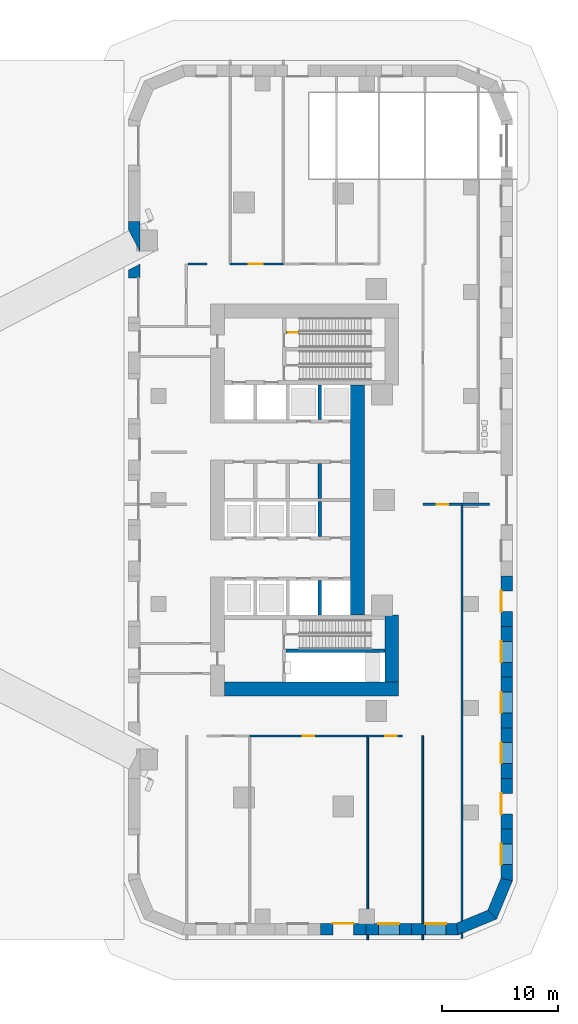
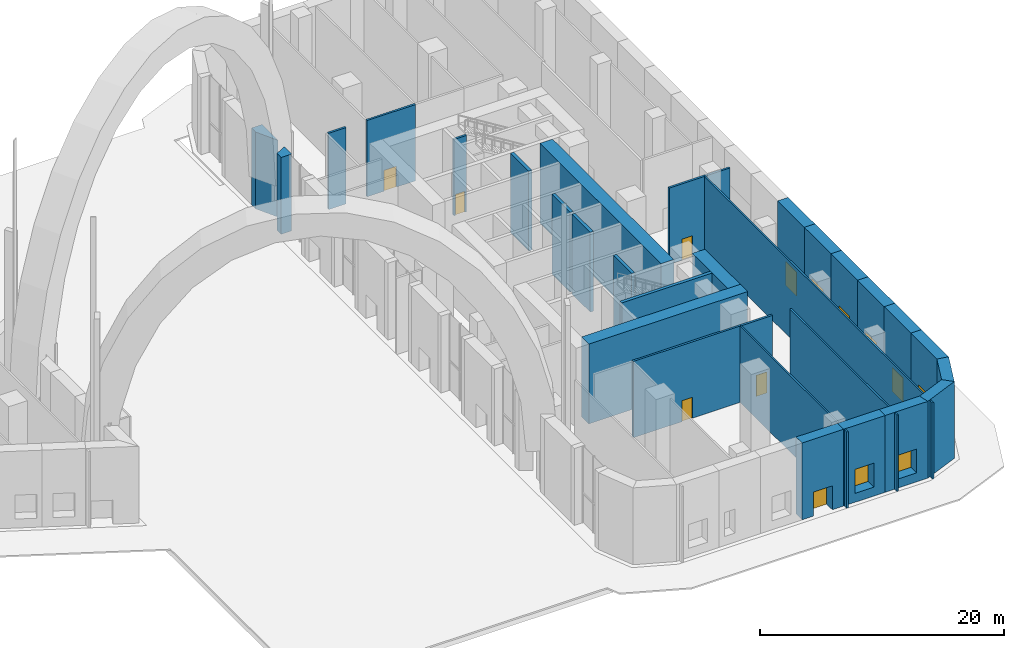
# One storey, part 12 of 22: 34 walls, 8 doors, 6 windows, 14 openings.
"""IFC4 building model written with IfcOpenShell, lengths in metres."""

from ifc_helpers import new_model, si_unit, direction, frame, frame_2d, origin, place, context, subcontext, project, spatial, polyline, rectangle, outline, extrude, material, layer, layer_set, type_object, element, fill, save


model = new_model("IFC4")

# Units and contexts
model_context = context("Model", 3, precision=1e-05, world=origin(), true_north=direction((0.0, 1.0)))
body_context = subcontext(model_context, "Body", "Model", "MODEL_VIEW")
ifc_project = project(units=[si_unit("LENGTHUNIT", "METRE"), si_unit("AREAUNIT", "SQUARE_METRE"), si_unit("VOLUMEUNIT", "CUBIC_METRE"), si_unit("PLANEANGLEUNIT", "RADIAN"), si_unit("MASSUNIT", "GRAM", prefix="KILO")], contexts=[model_context])

# Site, building, storey
site_placement = place(None, origin())
site = spatial("IfcSite", under=ifc_project, at=site_placement, CompositionType="ELEMENT")
building_placement = place(site_placement, origin())
building = spatial("IfcBuilding", under=site, at=building_placement, Name="Ostrand Prow Hotel Tower", CompositionType="ELEMENT")
storey_placement = place(building_placement, origin())
storey = spatial("IfcBuildingStorey", under=building, at=storey_placement, Name="L00", CompositionType="ELEMENT", Elevation=0.0)

# Walls
ifc_material_1 = material(Name="Concrete C80/95", Category="concrete")
ifc_layer_1 = layer(ifc_material_1, 1.199951171875)
ifc_layer_set_1 = layer_set([ifc_layer_1], Name="Concrete C80/95")
wall_type_1 = type_object("IfcWallType", Name="Core wall 1200 C80/95", PredefinedType="SHEAR", material=ifc_layer_set_1)
wall_1_placement = place(storey_placement, frame((50.699951171875, -16.35009765625, 0.0), z_axis=(0.0, 0.0, 1.0), x_axis=(1.0, 0.0, 0.0)))
element("IfcWall", 1, at=wall_1_placement, inside=storey, type_object=wall_type_1, Name="Core wall CW-S", PredefinedType="SHEAR", context=body_context, shape_type="SweptSolid", body=[
    extrude(rectangle(XDim=15.06005859375, YDim=1.199951171875, at=frame_2d((7.530029296875, 0.0))), origin(), (0.0, 0.0, 1.0), 8.0),
])
wall_2_placement = place(storey_placement, frame((65.159912109375, -15.75, 0.0), z_axis=(0.0, 0.0, 1.0), x_axis=(0.0, 1.0, 0.0)))
element("IfcWall", 2, at=wall_2_placement, inside=storey, type_object=wall_type_1, Name="Core wall CW-E-S", PredefinedType="SHEAR", context=body_context, shape_type="SweptSolid", body=[
    extrude(rectangle(XDim=5.800048828125, YDim=1.199951171875, at=frame_2d((2.89990234375, 0.0))), origin(), (0.0, 0.0, 1.0), 8.0),
])
wall_3_placement = place(storey_placement, frame((62.199951171875, -9.949951171875, 0.0), z_axis=(0.0, 0.0, 1.0), x_axis=(0.0, 1.0, 0.0)))
element("IfcWall", 3, at=wall_3_placement, inside=storey, type_object=wall_type_1, Name="Core wall CW-E-C", PredefinedType="SHEAR", context=body_context, shape_type="SweptSolid", body=[
    extrude(rectangle(XDim=19.89990234375, YDim=1.199951171875, at=frame_2d((9.949951171875, 0.0))), origin(), (0.0, 0.0, 1.0), 8.0),
])
ifc_material_2 = material(Name="Concrete C80/95", Category="concrete")
ifc_layer_2 = layer(ifc_material_2, 0.300048828125)
ifc_layer_set_2 = layer_set([ifc_layer_2], Name="Concrete C80/95")
wall_type_2 = type_object("IfcWallType", Name="Core wall 300 C80/95", PredefinedType="SHEAR", material=ifc_layer_set_2)
for number, where, z_axis, x_axis, name in (
    (4, (58.949951171875, 0.14990234375, 0.0), (0.0, 0.0, 1.0), (0.0, 1.0, 0.0), "Core wall PW-R3-NB"),
    (5, (58.949951171875, 6.949951171875, 0.0), (0.0, 0.0, 1.0), (0.0, 1.0, 0.0), "Core wall PW-R3-NA"),
    (6, (58.949951171875, -3.14990234375, 0.0), (0.0, 0.0, 1.0), (0.0, 1.0, 0.0), "Core wall PW-R3-SB"),
    (7, (58.949951171875, -9.949951171875, 0.0), (0.0, 0.0, 1.0), (0.0, 1.0, 0.0), "Core wall PW-R3-SA"),
):
    element("IfcWall", number, at=place(storey_placement, frame(where, z_axis=z_axis, x_axis=x_axis)), inside=storey, type_object=wall_type_2, Name=name, PredefinedType="SHEAR", context=body_context, shape_type="SweptSolid", body=[
        extrude(rectangle(XDim=3.0, YDim=0.300048828125, at=frame_2d((1.5, 0.0))), origin(), (0.0, 0.0, 1.0), 8.0),
    ])
wall_4_placement = place(storey_placement, frame((56.0, -13.050048828125, 0.0), z_axis=(0.0, 0.0, 1.0), x_axis=(1.0, 0.0, 0.0)))
element("IfcWall", 8, at=wall_4_placement, inside=storey, type_object=wall_type_2, Name="Core wall PW-ST2R", PredefinedType="SHEAR", context=body_context, shape_type="SweptSolid", body=[
    extrude(rectangle(XDim=8.56005859375, YDim=0.300048828125, at=frame_2d((4.280029296875, 0.0))), origin(), (0.0, 0.0, 1.0), 8.0),
])
ifc_material_3 = material(Name="Plasterboard partition")
ifc_layer_3 = layer(ifc_material_3, 0.14990234375)
ifc_layer_set_3 = layer_set([ifc_layer_3], Name="Plasterboard partition")
wall_type_3 = type_object("IfcWallType", Name="Partition 150 room partition", PredefinedType="PARTITIONING", material=ifc_layer_set_3)
wall_5_placement = place(storey_placement, frame((63.080078125, -38.0, 0.0), z_axis=(0.0, 0.0, 1.0), x_axis=(0.0, 1.0, 0.0)))
element("IfcWall", 9, at=wall_5_placement, inside=storey, type_object=wall_type_3, Name="ROOM PARTITION", PredefinedType="PARTITIONING", context=body_context, shape_type="SweptSolid", body=[
    extrude(rectangle(XDim=0.39990234375, YDim=0.14990234375, at=frame_2d((0.199951171875, 0.0))), origin(), (0.0, 0.0, 1.0), 7.64990234375),
])
wall_6_placement = place(storey_placement, frame((63.080078125, -36.60009765625, 0.0), z_axis=(0.0, 0.0, 1.0), x_axis=(0.0, 1.0, 0.0)))
element("IfcWall", 10, at=wall_6_placement, inside=storey, type_object=wall_type_3, Name="ROOM PARTITION", PredefinedType="PARTITIONING", context=body_context, shape_type="SweptSolid", body=[
    extrude(rectangle(XDim=16.2001953125, YDim=0.14990234375, at=frame_2d((8.10009765625, 0.0))), origin(), (0.0, 0.0, 1.0), 7.64990234375),
])
wall_7_placement = place(storey_placement, frame((67.840087890625, -38.0, 0.0), z_axis=(0.0, 0.0, 1.0), x_axis=(0.0, 1.0, 0.0)))
element("IfcWall", 11, at=wall_7_placement, inside=storey, type_object=wall_type_3, Name="ROOM PARTITION", PredefinedType="PARTITIONING", context=body_context, shape_type="SweptSolid", body=[
    extrude(rectangle(XDim=0.39990234375, YDim=0.14990234375, at=frame_2d((0.199951171875, 0.0))), origin(), (0.0, 0.0, 1.0), 7.64990234375),
])
wall_8_placement = place(storey_placement, frame((67.840087890625, -36.60009765625, 0.0), z_axis=(0.0, 0.0, 1.0), x_axis=(0.0, 1.0, 0.0)))
element("IfcWall", 12, at=wall_8_placement, inside=storey, type_object=wall_type_3, Name="ROOM PARTITION", PredefinedType="PARTITIONING", context=body_context, shape_type="SweptSolid", body=[
    extrude(rectangle(XDim=16.2001953125, YDim=0.14990234375, at=frame_2d((8.10009765625, 0.0))), origin(), (0.0, 0.0, 1.0), 7.64990234375),
])
wall_9_placement = place(storey_placement, frame((71.239990234375, -37.900634765625, 0.0), z_axis=(0.0, 0.0, 1.0), x_axis=(0.0, 1.0, 0.0)))
element("IfcWall", 13, at=wall_9_placement, inside=storey, type_object=wall_type_3, Name="ROOM PARTITION", PredefinedType="PARTITIONING", context=body_context, shape_type="SweptSolid", body=[
    extrude(rectangle(XDim=0.43310546875, YDim=0.14990234375, at=frame_2d((0.216552734375, 0.0))), origin(), (0.0, 0.0, 1.0), 7.64990234375),
])
wall_10_placement = place(storey_placement, frame((71.239990234375, -36.38525390625, 0.0), z_axis=(0.0, 0.0, 1.0), x_axis=(0.0, 1.0, 0.0)))
element("IfcWall", 14, at=wall_10_placement, inside=storey, type_object=wall_type_3, Name="ROOM PARTITION", PredefinedType="PARTITIONING", context=body_context, shape_type="SweptSolid", body=[
    extrude(rectangle(XDim=36.009033203125, YDim=0.14990234375, at=frame_2d((18.00439453125, 0.0))), origin(), (0.0, 0.0, 1.0), 7.64990234375),
])

# Wall, opening, door
ifc_material_4 = material(Name="Plasterboard partition")
ifc_layer_4 = layer(ifc_material_4, 0.199951171875)
ifc_layer_set_4 = layer_set([ifc_layer_4], Name="Plasterboard partition")
wall_type_4 = type_object("IfcWallType", Name="Partition 200 corridor wall", PredefinedType="PARTITIONING", material=ifc_layer_set_4)
wall_11_placement = place(storey_placement, frame((67.85888671875, -0.376220703125, 0.0), z_axis=(0.0, 0.0, 1.0), x_axis=(1.0, 0.0, 0.0)))
wall_11 = element("IfcWall", 15, at=wall_11_placement, inside=storey, type_object=wall_type_4, Name="CORRIDOR WALL", PredefinedType="PARTITIONING", context=body_context, shape_type="SweptSolid", body=[
    extrude(rectangle(XDim=3.381103515625, YDim=0.199951171875, at=frame_2d((1.6904296875, 0.0))), origin(), (0.0, 0.0, 1.0), 7.64990234375),
])
opening_1_placement = place(wall_11_placement, frame((1.1904296875, 0.0, 0.0)))
opening_1 = element("IfcOpeningElement", 16, at=opening_1_placement, cuts=wall_11, Name="Opening D1R", PredefinedType="OPENING", context=body_context, shape_type="SweptSolid", body=[
    extrude(rectangle(XDim=1.0, YDim=2.10009765625, at=frame_2d((0.5, 1.050048828125))), frame((0.0, 0.10986328125, 0.0), z_axis=(0.0, -1.0, 0.0), x_axis=(1.0, 0.0, 0.0)), (0.0, 0.0, 1.0), 0.219970703125),
])
ifc_material_5 = material(Name="Timber door leaf", Category="wood")
door_type_1 = type_object("IfcDoorType", Name="Guest room door 1000 right", OperationType="SINGLE_SWING_RIGHT", PredefinedType="DOOR", material=ifc_material_5)
door_1_placement = place(opening_1_placement, origin())
door_1 = element("IfcDoor", 17, at=door_1_placement, inside=storey, type_object=door_type_1, Name="DOOR", OperationType="SINGLE_SWING_RIGHT", OverallHeight=2.10009765625, OverallWidth=1.0, PredefinedType="DOOR", context=body_context, shape_type="SweptSolid", body=[
    extrude(rectangle(XDim=1.0, YDim=2.10009765625, at=frame_2d((0.5, 1.050048828125))), frame((0.0, 0.02490234375, 0.0), z_axis=(0.0, -1.0, 0.0), x_axis=(1.0, 0.0, 0.0)), (0.0, 0.0, 1.0), 0.050048828125),
])
fill(opening_1, door_1)

# Wall
wall_12_placement = place(storey_placement, frame((71.239990234375, -0.376220703125, 0.0), z_axis=(0.0, 0.0, 1.0), x_axis=(1.0, 0.0, 0.0)))
element("IfcWall", 18, at=wall_12_placement, inside=storey, type_object=wall_type_4, Name="CORRIDOR WALL", PredefinedType="PARTITIONING", context=body_context, shape_type="SweptSolid", body=[
    extrude(rectangle(XDim=2.360107421875, YDim=0.199951171875, at=frame_2d((1.18017578125, 0.0))), origin(), (0.0, 0.0, 1.0), 7.64990234375),
])

# Wall, opening, door
wall_13_placement = place(storey_placement, frame((52.8798828125, -20.39990234375, 0.0), z_axis=(0.0, 0.0, 1.0), x_axis=(1.0, 0.0, 0.0)))
wall_13 = element("IfcWall", 19, at=wall_13_placement, inside=storey, type_object=wall_type_4, Name="CORRIDOR WALL", PredefinedType="PARTITIONING", context=body_context, shape_type="SweptSolid", body=[
    extrude(rectangle(XDim=10.2001953125, YDim=0.199951171875, at=frame_2d((5.10009765625, 0.0))), origin(), (0.0, 0.0, 1.0), 7.64990234375),
])
opening_2_placement = place(wall_13_placement, frame((4.60009765625, 0.0, 0.0)))
opening_2 = element("IfcOpeningElement", 20, at=opening_2_placement, cuts=wall_13, Name="Opening D1R", PredefinedType="OPENING", context=body_context, shape_type="SweptSolid", body=[
    extrude(rectangle(XDim=1.0, YDim=2.10009765625, at=frame_2d((0.5, 1.050048828125))), frame((0.0, 0.10986328125, 0.0), z_axis=(0.0, -1.0, 0.0), x_axis=(1.0, 0.0, 0.0)), (0.0, 0.0, 1.0), 0.219970703125),
])
door_2_placement = place(opening_2_placement, origin())
door_2 = element("IfcDoor", 21, at=door_2_placement, inside=storey, type_object=door_type_1, Name="DOOR", OperationType="SINGLE_SWING_RIGHT", OverallHeight=2.10009765625, OverallWidth=1.0, PredefinedType="DOOR", context=body_context, shape_type="SweptSolid", body=[
    extrude(rectangle(XDim=1.0, YDim=2.10009765625, at=frame_2d((0.5, 1.050048828125))), frame((0.0, 0.02490234375, 0.0), z_axis=(0.0, -1.0, 0.0), x_axis=(1.0, 0.0, 0.0)), (0.0, 0.0, 1.0), 0.050048828125),
])
fill(opening_2, door_2)

wall_14_placement = place(storey_placement, frame((63.080078125, -20.39990234375, 0.0), z_axis=(0.0, 0.0, 1.0), x_axis=(1.0, 0.0, 0.0)))
wall_14 = element("IfcWall", 22, at=wall_14_placement, inside=storey, type_object=wall_type_4, Name="CORRIDOR WALL", PredefinedType="PARTITIONING", context=body_context, shape_type="SweptSolid", body=[
    extrude(rectangle(XDim=3.010009765625, YDim=0.199951171875, at=frame_2d((1.5048828125, 0.0))), origin(), (0.0, 0.0, 1.0), 7.64990234375),
])
opening_3_placement = place(wall_14_placement, frame((1.5, 0.0, 0.0)))
opening_3 = element("IfcOpeningElement", 23, at=opening_3_placement, cuts=wall_14, Name="Opening D1", PredefinedType="OPENING", context=body_context, shape_type="SweptSolid", body=[
    extrude(rectangle(XDim=1.0, YDim=2.10009765625, at=frame_2d((0.5, 1.050048828125))), frame((0.0, 0.10986328125, 0.0), z_axis=(0.0, -1.0, 0.0), x_axis=(1.0, 0.0, 0.0)), (0.0, 0.0, 1.0), 0.219970703125),
])
ifc_material_6 = material(Name="Timber door leaf", Category="wood")
door_type_2 = type_object("IfcDoorType", Name="Guest room door 1000", OperationType="SINGLE_SWING_LEFT", PredefinedType="DOOR", material=ifc_material_6)
door_3_placement = place(opening_3_placement, origin())
door_3 = element("IfcDoor", 24, at=door_3_placement, inside=storey, type_object=door_type_2, Name="DOOR", OperationType="SINGLE_SWING_LEFT", OverallHeight=2.10009765625, OverallWidth=1.0, PredefinedType="DOOR", context=body_context, shape_type="SweptSolid", body=[
    extrude(rectangle(XDim=1.0, YDim=2.10009765625, at=frame_2d((0.5, 1.050048828125))), frame((0.0, 0.02490234375, 0.0), z_axis=(0.0, -1.0, 0.0), x_axis=(1.0, 0.0, 0.0)), (0.0, 0.0, 1.0), 0.050048828125),
])
fill(opening_3, door_3)

wall_15_placement = place(storey_placement, frame((55.78369140625, 20.39990234375, 0.0), z_axis=(0.0, 0.0, 1.0), x_axis=(-1.0, 0.0, 0.0)))
wall_15 = element("IfcWall", 25, at=wall_15_placement, inside=storey, type_object=wall_type_4, Name="CORRIDOR WALL", PredefinedType="PARTITIONING", context=body_context, shape_type="SweptSolid", body=[
    extrude(rectangle(XDim=4.594482421875, YDim=0.199951171875, at=frame_2d((2.29736328125, 0.0))), origin(), (0.0, 0.0, 1.0), 7.64990234375),
])
opening_4_placement = place(wall_15_placement, frame((1.79736328125, 0.0, 0.0)))
opening_4 = element("IfcOpeningElement", 26, at=opening_4_placement, cuts=wall_15, Name="Opening D12", PredefinedType="OPENING", context=body_context, shape_type="SweptSolid", body=[
    extrude(rectangle(XDim=1.199951171875, YDim=2.10009765625, at=frame_2d((0.60009765625, 1.050048828125))), frame((0.0, 0.10986328125, 0.0), z_axis=(0.0, -1.0, 0.0), x_axis=(1.0, 0.0, 0.0)), (0.0, 0.0, 1.0), 0.219970703125),
])
ifc_material_7 = material(Name="Steel service door", Category="steel")
door_type_3 = type_object("IfcDoorType", Name="Service door 1200", OperationType="SINGLE_SWING_RIGHT", PredefinedType="DOOR", material=ifc_material_7)
door_4_placement = place(opening_4_placement, origin())
door_4 = element("IfcDoor", 27, at=door_4_placement, inside=storey, type_object=door_type_3, Name="DOOR", OperationType="SINGLE_SWING_RIGHT", OverallHeight=2.10009765625, OverallWidth=1.199951171875, PredefinedType="DOOR", context=body_context, shape_type="SweptSolid", body=[
    extrude(rectangle(XDim=1.199951171875, YDim=2.10009765625, at=frame_2d((0.60009765625, 1.050048828125))), frame((0.0, 0.02490234375, 0.0), z_axis=(0.0, -1.0, 0.0), x_axis=(1.0, 0.0, 0.0)), (0.0, 0.0, 1.0), 0.050048828125),
])
fill(opening_4, door_4)

# Wall
wall_16_placement = place(storey_placement, frame((47.550048828125, 20.39990234375, 0.0), z_axis=(0.0, 0.0, 1.0), x_axis=(1.0, 0.0, 0.0)))
element("IfcWall", 28, at=wall_16_placement, inside=storey, type_object=wall_type_4, Name="CORRIDOR WALL", PredefinedType="PARTITIONING", context=body_context, shape_type="SweptSolid", body=[
    extrude(rectangle(XDim=1.64990234375, YDim=0.199951171875, at=frame_2d((0.824951171875, 0.0))), origin(), (0.0, 0.0, 1.0), 7.64990234375),
])

# Wall, opening, door
ifc_material_8 = material(Name="Plasterboard partition")
ifc_layer_5 = layer(ifc_material_8, 0.199951171875)
ifc_layer_set_5 = layer_set([ifc_layer_5], Name="Plasterboard partition")
wall_type_5 = type_object("IfcWallType", Name="Partition 200 stair barrier wall", PredefinedType="PARTITIONING", material=ifc_layer_set_5)
wall_17_placement = place(storey_placement, frame((56.0, 14.47509765625, 0.0), z_axis=(0.0, 0.0, 1.0), x_axis=(1.0, 0.0, 0.0)))
wall_17 = element("IfcWall", 29, at=wall_17_placement, inside=storey, type_object=wall_type_5, Name="STAIR BARRIER WALL", PredefinedType="PARTITIONING", context=body_context, shape_type="SweptSolid", body=[
    extrude(rectangle(XDim=1.199951171875, YDim=0.199951171875, at=frame_2d((0.60009765625, 0.0))), origin(), (0.0, 0.0, 1.0), 7.64990234375),
])
opening_5_placement = place(wall_17_placement, frame((0.14990234375, 0.0, 0.0)))
opening_5 = element("IfcOpeningElement", 30, at=opening_5_placement, cuts=wall_17, Name="Opening FD3", PredefinedType="OPENING", context=body_context, shape_type="SweptSolid", body=[
    extrude(rectangle(XDim=0.89990234375, YDim=2.10009765625, at=frame_2d((0.449951171875, 1.050048828125))), frame((0.0, 0.10986328125, 0.0), z_axis=(0.0, -1.0, 0.0), x_axis=(1.0, 0.0, 0.0)), (0.0, 0.0, 1.0), 0.219970703125),
])
ifc_material_9 = material(Name="Steel fire door", Category="steel")
door_type_4 = type_object("IfcDoorType", Name="Basement stair door 900 EI120", OperationType="SINGLE_SWING_LEFT", PredefinedType="DOOR", material=ifc_material_9)
door_5_placement = place(opening_5_placement, origin())
door_5 = element("IfcDoor", 31, at=door_5_placement, inside=storey, type_object=door_type_4, Name="STAIR BARRIER DOOR", OperationType="SINGLE_SWING_LEFT", OverallHeight=2.10009765625, OverallWidth=0.89990234375, PredefinedType="DOOR", context=body_context, shape_type="SweptSolid", body=[
    extrude(rectangle(XDim=0.89990234375, YDim=2.10009765625, at=frame_2d((0.449951171875, 1.050048828125))), frame((0.0, 0.02490234375, 0.0), z_axis=(0.0, -1.0, 0.0), x_axis=(1.0, 0.0, 0.0)), (0.0, 0.0, 1.0), 0.050048828125),
])
fill(opening_5, door_5)

ifc_material_10 = material(Name="Precast concrete C40/50", Category="concrete")
ifc_layer_6 = layer(ifc_material_10, 1.0)
ifc_layer_set_6 = layer_set([ifc_layer_6], Name="Precast concrete C40/50")
wall_type_6 = type_object("IfcWallType", Name="Portal pier wall 1000 mm", PredefinedType="NOTDEFINED", material=ifc_layer_set_6)
wall_18_placement = place(storey_placement, frame((59.0, -37.10009765625, 0.0), z_axis=(0.0, 0.0, 1.0), x_axis=(1.0, 0.0, 0.0)))
wall_18 = element("IfcWall", 32, at=wall_18_placement, inside=storey, type_object=wall_type_6, Name="Portal pier wall L00-PP103", PredefinedType="NOTDEFINED", context=body_context, shape_type="SweptSolid", body=[
    extrude(outline(polyline([(0.0, -0.5), (3.940185546875, -0.5), (3.940185546875, 0.5), (0.0, 0.5), (0.0, -0.5)])), origin(), (0.0, 0.0, 1.0), 7.699951171875),
])
opening_6_placement = place(wall_18_placement, frame((1.0703125, 0.0, 0.0)))
opening_6 = element("IfcOpeningElement", 33, at=opening_6_placement, cuts=wall_18, Name="Opening E04", PredefinedType="OPENING", context=body_context, shape_type="SweptSolid", body=[
    extrude(rectangle(XDim=1.800048828125, YDim=2.39990234375, at=frame_2d((0.89990234375, 1.199951171875))), frame((0.0, 0.510009765625, 0.0), z_axis=(0.0, -1.0, 0.0), x_axis=(1.0, 0.0, 0.0)), (0.0, 0.0, 1.0), 1.02001953125),
])
ifc_material_11 = material(Name="Bronze anodised aluminium and glass", Category="aluminium")
door_type_5 = type_object("IfcDoorType", Name="Entrance double door 1800x2400", OperationType="DOUBLE_DOOR_SINGLE_SWING", PredefinedType="DOOR", material=ifc_material_11)
door_6_placement = place(opening_6_placement, origin())
door_6 = element("IfcDoor", 34, at=door_6_placement, inside=storey, type_object=door_type_5, Name="Entrance door E04 DE1", OperationType="DOUBLE_DOOR_SINGLE_SWING", OverallHeight=2.39990234375, OverallWidth=1.800048828125, PredefinedType="DOOR", context=body_context, shape_type="SweptSolid", body=[
    extrude(rectangle(XDim=1.800048828125, YDim=2.39990234375, at=frame_2d((0.89990234375, 1.199951171875))), frame((0.0, 0.4951171875, 0.0), z_axis=(0.0, -1.0, 0.0), x_axis=(1.0, 0.0, 0.0)), (0.0, 0.0, 1.0), 0.050048828125),
])
fill(opening_6, door_6)

# Wall, opening, window
wall_19_placement = place(storey_placement, frame((62.940185546875, -37.10009765625, 0.0), z_axis=(0.0, 0.0, 1.0), x_axis=(1.0, 0.0, 0.0)))
wall_19 = element("IfcWall", 35, at=wall_19_placement, inside=storey, type_object=wall_type_6, Name="Portal pier wall L00-PP104", PredefinedType="NOTDEFINED", context=body_context, shape_type="SweptSolid", body=[
    extrude(outline(polyline([(0.0, -0.5), (3.9404296875, -0.5), (3.9404296875, 0.5), (0.0, 0.5), (0.0, -0.5)])), origin(), (0.0, 0.0, 1.0), 7.699951171875),
])
opening_7_placement = place(wall_19_placement, frame((1.0703125, 0.0, 0.89990234375)))
opening_7 = element("IfcOpeningElement", 36, at=opening_7_placement, cuts=wall_19, Name="Opening WP2", PredefinedType="OPENING", context=body_context, shape_type="SweptSolid", body=[
    extrude(rectangle(XDim=1.800048828125, YDim=2.39990234375, at=frame_2d((0.89990234375, 1.199951171875))), frame((0.0, 0.510009765625, 0.0), z_axis=(0.0, -1.0, 0.0), x_axis=(1.0, 0.0, 0.0)), (0.0, 0.0, 1.0), 1.02001953125),
])
ifc_material_12 = material(Name="Insulated glass in bronze anodised frame", Category="glass")
window_type = type_object("IfcWindowType", Name="Portal window 1800x2400", PartitioningType="SINGLE_PANEL", PredefinedType="WINDOW", material=ifc_material_12)
window_1_placement = place(opening_7_placement, origin())
window_1 = element("IfcWindow", 37, at=window_1_placement, inside=storey, type_object=window_type, Name="Portal window L00-PP104", OverallHeight=2.39990234375, OverallWidth=1.800048828125, PartitioningType="SINGLE_PANEL", PredefinedType="WINDOW", context=body_context, shape_type="SweptSolid", body=[
    extrude(rectangle(XDim=1.800048828125, YDim=2.39990234375, at=frame_2d((0.89990234375, 1.199951171875))), frame((0.0, 0.5, 0.0), z_axis=(0.0, -1.0, 0.0), x_axis=(1.0, 0.0, 0.0)), (0.0, 0.0, 1.0), 0.06005859375),
])
fill(opening_7, window_1)

wall_20_placement = place(storey_placement, frame((66.880615234375, -37.10009765625, 0.0), z_axis=(0.0, 0.0, 1.0), x_axis=(1.0, 0.0, 0.0)))
wall_20 = element("IfcWall", 38, at=wall_20_placement, inside=storey, type_object=wall_type_6, Name="Portal pier wall L00-PP105", PredefinedType="NOTDEFINED", context=body_context, shape_type="SweptSolid", body=[
    extrude(outline(polyline([(0.0, -0.5), (4.0400390625, -0.5), (3.8408203125, 0.5), (0.0, 0.5), (0.0, -0.5)])), origin(), (0.0, 0.0, 1.0), 7.699951171875),
])
opening_8_placement = place(wall_20_placement, frame((1.190185546875, 0.0, 0.89990234375)))
opening_8 = element("IfcOpeningElement", 39, at=opening_8_placement, cuts=wall_20, Name="Opening WP2", PredefinedType="OPENING", context=body_context, shape_type="SweptSolid", body=[
    extrude(rectangle(XDim=1.800048828125, YDim=2.39990234375, at=frame_2d((0.89990234375, 1.199951171875))), frame((0.0, 0.510009765625, 0.0), z_axis=(0.0, -1.0, 0.0), x_axis=(1.0, 0.0, 0.0)), (0.0, 0.0, 1.0), 1.02001953125),
])
window_2_placement = place(opening_8_placement, origin())
window_2 = element("IfcWindow", 40, at=window_2_placement, inside=storey, type_object=window_type, Name="Portal window L00-PP105", OverallHeight=2.39990234375, OverallWidth=1.800048828125, PartitioningType="SINGLE_PANEL", PredefinedType="WINDOW", context=body_context, shape_type="SweptSolid", body=[
    extrude(rectangle(XDim=1.800048828125, YDim=2.39990234375, at=frame_2d((0.89990234375, 1.199951171875))), frame((0.0, 0.5, 0.0), z_axis=(0.0, -1.0, 0.0), x_axis=(1.0, 0.0, 0.0)), (0.0, 0.0, 1.0), 0.06005859375),
])
fill(opening_8, window_2)

# Walls
wall_21_placement = place(storey_placement, frame((70.821044921875, -37.10009765625, 0.0), z_axis=(0.0, 0.0, 1.0), x_axis=(0.923862365102, 0.382724875529, 0.0)))
element("IfcWall", 41, at=wall_21_placement, inside=storey, type_object=wall_type_6, Name="Portal pier wall L00-PP106", PredefinedType="NOTDEFINED", context=body_context, shape_type="SweptSolid", body=[
    extrude(outline(polyline([(-0.099609375, -0.5), (3.48193359375, -0.5), (3.06787109375, 0.5), (0.099609375, 0.5), (-0.099609375, -0.5)])), origin(), (0.0, 0.0, 1.0), 7.699951171875),
])
wall_22_placement = place(storey_placement, frame((73.8466796875, -35.8466796875, 0.0), z_axis=(0.0, 0.0, 1.0), x_axis=(0.382724875529, 0.923862365102, 0.0)))
element("IfcWall", 42, at=wall_22_placement, inside=storey, type_object=wall_type_6, Name="Portal pier wall L00-PP107", PredefinedType="NOTDEFINED", context=body_context, shape_type="SweptSolid", body=[
    extrude(outline(polyline([(-0.20703125, -0.5), (3.37451171875, -0.5), (3.17529296875, 0.5), (0.20703125, 0.5), (-0.20703125, -0.5)])), origin(), (0.0, 0.0, 1.0), 7.699951171875),
])

# Wall, opening, window
wall_23_placement = place(storey_placement, frame((75.10009765625, -32.821044921875, 0.0), z_axis=(0.0, 0.0, 1.0), x_axis=(0.0, 1.0, 0.0)))
wall_23 = element("IfcWall", 43, at=wall_23_placement, inside=storey, type_object=wall_type_6, Name="Portal pier wall L00-PP108", PredefinedType="NOTDEFINED", context=body_context, shape_type="SweptSolid", body=[
    extrude(outline(polyline([(-0.099609375, -0.5), (4.376220703125, -0.5), (4.376220703125, 0.5), (0.099609375, 0.5), (-0.099609375, -0.5)])), origin(), (0.0, 0.0, 1.0), 7.699951171875),
])
opening_9_placement = place(wall_23_placement, frame((1.2880859375, 0.0, 0.89990234375)))
opening_9 = element("IfcOpeningElement", 44, at=opening_9_placement, cuts=wall_23, Name="Opening WP2", PredefinedType="OPENING", context=body_context, shape_type="SweptSolid", body=[
    extrude(rectangle(XDim=1.800048828125, YDim=2.39990234375, at=frame_2d((0.89990234375, 1.199951171875))), frame((0.0, 0.510009765625, 0.0), z_axis=(0.0, -1.0, 0.0), x_axis=(1.0, 0.0, 0.0)), (0.0, 0.0, 1.0), 1.02001953125),
])
window_3_placement = place(opening_9_placement, origin())
window_3 = element("IfcWindow", 45, at=window_3_placement, inside=storey, type_object=window_type, Name="Portal window L00-PP108", OverallHeight=2.39990234375, OverallWidth=1.800048828125, PartitioningType="SINGLE_PANEL", PredefinedType="WINDOW", context=body_context, shape_type="SweptSolid", body=[
    extrude(rectangle(XDim=1.800048828125, YDim=2.39990234375, at=frame_2d((0.89990234375, 1.199951171875))), frame((0.0, 0.5, 0.0), z_axis=(0.0, -1.0, 0.0), x_axis=(1.0, 0.0, 0.0)), (0.0, 0.0, 1.0), 0.06005859375),
])
fill(opening_9, window_3)

# Wall, opening, door
wall_24_placement = place(storey_placement, frame((75.10009765625, -28.44482421875, 0.0), z_axis=(0.0, 0.0, 1.0), x_axis=(0.0, 1.0, 0.0)))
wall_24 = element("IfcWall", 46, at=wall_24_placement, inside=storey, type_object=wall_type_6, Name="Portal pier wall L00-PP109", PredefinedType="NOTDEFINED", context=body_context, shape_type="SweptSolid", body=[
    extrude(outline(polyline([(0.0, -0.5), (4.376220703125, -0.5), (4.376220703125, 0.5), (0.0, 0.5), (0.0, -0.5)])), origin(), (0.0, 0.0, 1.0), 7.699951171875),
])
opening_10_placement = place(wall_24_placement, frame((1.2880859375, 0.0, 0.0)))
opening_10 = element("IfcOpeningElement", 47, at=opening_10_placement, cuts=wall_24, Name="Opening E05", PredefinedType="OPENING", context=body_context, shape_type="SweptSolid", body=[
    extrude(rectangle(XDim=1.800048828125, YDim=2.39990234375, at=frame_2d((0.89990234375, 1.199951171875))), frame((0.0, 0.510009765625, 0.0), z_axis=(0.0, -1.0, 0.0), x_axis=(1.0, 0.0, 0.0)), (0.0, 0.0, 1.0), 1.02001953125),
])
door_7_placement = place(opening_10_placement, origin())
door_7 = element("IfcDoor", 48, at=door_7_placement, inside=storey, type_object=door_type_5, Name="Entrance door E05 DE1", OperationType="DOUBLE_DOOR_SINGLE_SWING", OverallHeight=2.39990234375, OverallWidth=1.800048828125, PredefinedType="DOOR", context=body_context, shape_type="SweptSolid", body=[
    extrude(rectangle(XDim=1.800048828125, YDim=2.39990234375, at=frame_2d((0.89990234375, 1.199951171875))), frame((0.0, 0.4951171875, 0.0), z_axis=(0.0, -1.0, 0.0), x_axis=(1.0, 0.0, 0.0)), (0.0, 0.0, 1.0), 0.050048828125),
])
fill(opening_10, door_7)

# Wall, opening, window
wall_25_placement = place(storey_placement, frame((75.10009765625, -24.068603515625, 0.0), z_axis=(0.0, 0.0, 1.0), x_axis=(0.0, 1.0, 0.0)))
wall_25 = element("IfcWall", 49, at=wall_25_placement, inside=storey, type_object=wall_type_6, Name="Portal pier wall L00-PP110", PredefinedType="NOTDEFINED", context=body_context, shape_type="SweptSolid", body=[
    extrude(outline(polyline([(0.0, -0.5), (4.3759765625, -0.5), (4.3759765625, 0.5), (0.0, 0.5), (0.0, -0.5)])), origin(), (0.0, 0.0, 1.0), 7.699951171875),
])
opening_11_placement = place(wall_25_placement, frame((1.2880859375, 0.0, 0.89990234375)))
opening_11 = element("IfcOpeningElement", 50, at=opening_11_placement, cuts=wall_25, Name="Opening WP2", PredefinedType="OPENING", context=body_context, shape_type="SweptSolid", body=[
    extrude(rectangle(XDim=1.800048828125, YDim=2.39990234375, at=frame_2d((0.89990234375, 1.199951171875))), frame((0.0, 0.510009765625, 0.0), z_axis=(0.0, -1.0, 0.0), x_axis=(1.0, 0.0, 0.0)), (0.0, 0.0, 1.0), 1.02001953125),
])
window_4_placement = place(opening_11_placement, origin())
window_4 = element("IfcWindow", 51, at=window_4_placement, inside=storey, type_object=window_type, Name="Portal window L00-PP110", OverallHeight=2.39990234375, OverallWidth=1.800048828125, PartitioningType="SINGLE_PANEL", PredefinedType="WINDOW", context=body_context, shape_type="SweptSolid", body=[
    extrude(rectangle(XDim=1.800048828125, YDim=2.39990234375, at=frame_2d((0.89990234375, 1.199951171875))), frame((0.0, 0.5, 0.0), z_axis=(0.0, -1.0, 0.0), x_axis=(1.0, 0.0, 0.0)), (0.0, 0.0, 1.0), 0.06005859375),
])
fill(opening_11, window_4)

wall_26_placement = place(storey_placement, frame((75.10009765625, -19.692626953125, 0.0), z_axis=(0.0, 0.0, 1.0), x_axis=(0.0, 1.0, 0.0)))
wall_26 = element("IfcWall", 52, at=wall_26_placement, inside=storey, type_object=wall_type_6, Name="Portal pier wall L00-PP111", PredefinedType="NOTDEFINED", context=body_context, shape_type="SweptSolid", body=[
    extrude(outline(polyline([(0.0, -0.5), (4.376220703125, -0.5), (4.376220703125, 0.5), (0.0, 0.5), (0.0, -0.5)])), origin(), (0.0, 0.0, 1.0), 7.699951171875),
])
opening_12_placement = place(wall_26_placement, frame((1.2880859375, 0.0, 0.89990234375)))
opening_12 = element("IfcOpeningElement", 53, at=opening_12_placement, cuts=wall_26, Name="Opening WP2", PredefinedType="OPENING", context=body_context, shape_type="SweptSolid", body=[
    extrude(rectangle(XDim=1.800048828125, YDim=2.39990234375, at=frame_2d((0.89990234375, 1.199951171875))), frame((0.0, 0.510009765625, 0.0), z_axis=(0.0, -1.0, 0.0), x_axis=(1.0, 0.0, 0.0)), (0.0, 0.0, 1.0), 1.02001953125),
])
window_5_placement = place(opening_12_placement, origin())
window_5 = element("IfcWindow", 54, at=window_5_placement, inside=storey, type_object=window_type, Name="Portal window L00-PP111", OverallHeight=2.39990234375, OverallWidth=1.800048828125, PartitioningType="SINGLE_PANEL", PredefinedType="WINDOW", context=body_context, shape_type="SweptSolid", body=[
    extrude(rectangle(XDim=1.800048828125, YDim=2.39990234375, at=frame_2d((0.89990234375, 1.199951171875))), frame((0.0, 0.5, 0.0), z_axis=(0.0, -1.0, 0.0), x_axis=(1.0, 0.0, 0.0)), (0.0, 0.0, 1.0), 0.06005859375),
])
fill(opening_12, window_5)

wall_27_placement = place(storey_placement, frame((75.10009765625, -15.31640625, 0.0), z_axis=(0.0, 0.0, 1.0), x_axis=(0.0, 1.0, 0.0)))
wall_27 = element("IfcWall", 55, at=wall_27_placement, inside=storey, type_object=wall_type_6, Name="Portal pier wall L00-PP112", PredefinedType="NOTDEFINED", context=body_context, shape_type="SweptSolid", body=[
    extrude(outline(polyline([(0.0, -0.5), (4.376220703125, -0.5), (4.376220703125, 0.5), (0.0, 0.5), (0.0, -0.5)])), origin(), (0.0, 0.0, 1.0), 7.699951171875),
])
opening_13_placement = place(wall_27_placement, frame((1.2880859375, 0.0, 0.89990234375)))
opening_13 = element("IfcOpeningElement", 56, at=opening_13_placement, cuts=wall_27, Name="Opening WP2", PredefinedType="OPENING", context=body_context, shape_type="SweptSolid", body=[
    extrude(rectangle(XDim=1.800048828125, YDim=2.39990234375, at=frame_2d((0.89990234375, 1.199951171875))), frame((0.0, 0.510009765625, 0.0), z_axis=(0.0, -1.0, 0.0), x_axis=(1.0, 0.0, 0.0)), (0.0, 0.0, 1.0), 1.02001953125),
])
window_6_placement = place(opening_13_placement, origin())
window_6 = element("IfcWindow", 57, at=window_6_placement, inside=storey, type_object=window_type, Name="Portal window L00-PP112", OverallHeight=2.39990234375, OverallWidth=1.800048828125, PartitioningType="SINGLE_PANEL", PredefinedType="WINDOW", context=body_context, shape_type="SweptSolid", body=[
    extrude(rectangle(XDim=1.800048828125, YDim=2.39990234375, at=frame_2d((0.89990234375, 1.199951171875))), frame((0.0, 0.5, 0.0), z_axis=(0.0, -1.0, 0.0), x_axis=(1.0, 0.0, 0.0)), (0.0, 0.0, 1.0), 0.06005859375),
])
fill(opening_13, window_6)

# Wall, opening, door
wall_28_placement = place(storey_placement, frame((75.10009765625, -10.940185546875, 0.0), z_axis=(0.0, 0.0, 1.0), x_axis=(0.0, 1.0, 0.0)))
wall_28 = element("IfcWall", 58, at=wall_28_placement, inside=storey, type_object=wall_type_6, Name="Portal pier wall L00-PP113", PredefinedType="NOTDEFINED", context=body_context, shape_type="SweptSolid", body=[
    extrude(outline(polyline([(0.0, -0.5), (4.3759765625, -0.5), (4.3759765625, 0.5), (0.0, 0.5), (0.0, -0.5)])), origin(), (0.0, 0.0, 1.0), 7.699951171875),
])
opening_14_placement = place(wall_28_placement, frame((1.2880859375, 0.0, 0.0)))
opening_14 = element("IfcOpeningElement", 59, at=opening_14_placement, cuts=wall_28, Name="Opening E06", PredefinedType="OPENING", context=body_context, shape_type="SweptSolid", body=[
    extrude(rectangle(XDim=1.800048828125, YDim=2.39990234375, at=frame_2d((0.89990234375, 1.199951171875))), frame((0.0, 0.510009765625, 0.0), z_axis=(0.0, -1.0, 0.0), x_axis=(1.0, 0.0, 0.0)), (0.0, 0.0, 1.0), 1.02001953125),
])
door_8_placement = place(opening_14_placement, origin())
door_8 = element("IfcDoor", 60, at=door_8_placement, inside=storey, type_object=door_type_5, Name="Entrance door E06 DE1", OperationType="DOUBLE_DOOR_SINGLE_SWING", OverallHeight=2.39990234375, OverallWidth=1.800048828125, PredefinedType="DOOR", context=body_context, shape_type="SweptSolid", body=[
    extrude(rectangle(XDim=1.800048828125, YDim=2.39990234375, at=frame_2d((0.89990234375, 1.199951171875))), frame((0.0, 0.4951171875, 0.0), z_axis=(0.0, -1.0, 0.0), x_axis=(1.0, 0.0, 0.0)), (0.0, 0.0, 1.0), 0.050048828125),
])
fill(opening_14, door_8)

# Walls
wall_29_placement = place(storey_placement, frame((42.89990234375, 24.068603515625, 0.0), z_axis=(0.0, 0.0, 1.0), x_axis=(0.0, -1.0, 0.0)))
element("IfcWall", 61, at=wall_29_placement, inside=storey, type_object=wall_type_6, Name="Portal pier wall L00-PP135", PredefinedType="NOTDEFINED", context=body_context, shape_type="SweptSolid", body=[
    extrude(outline(polyline([(0.0, -0.5), (0.6845703125, -0.5), (2.61962890625, 0.5), (0.0, 0.5), (0.0, -0.5)])), origin(), (0.0, 0.0, 1.0), 7.699951171875),
])
wall_30_placement = place(storey_placement, frame((42.89990234375, 20.140869140625, 0.0), z_axis=(0.0, 0.0, 1.0), x_axis=(0.0, -1.0, 0.0)))
element("IfcWall", 62, at=wall_30_placement, inside=storey, type_object=wall_type_6, Name="Portal pier wall L00-PP136", PredefinedType="NOTDEFINED", context=body_context, shape_type="SweptSolid", body=[
    extrude(outline(polyline([(0.25830078125, -0.5), (0.9482421875, -0.5), (0.9482421875, 0.5), (-0.25830078125, 0.5), (0.25830078125, -0.5)])), origin(), (0.0, 0.0, 1.0), 7.699951171875),
])

save(model, "model.ifc")
